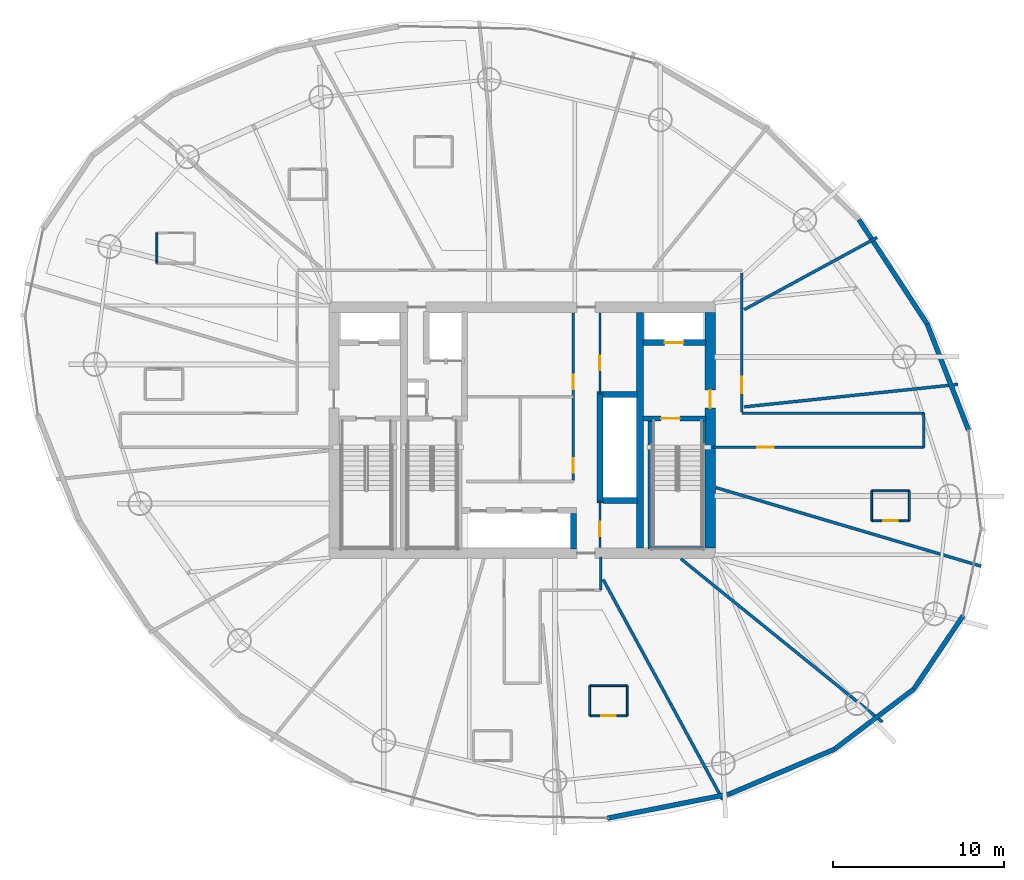
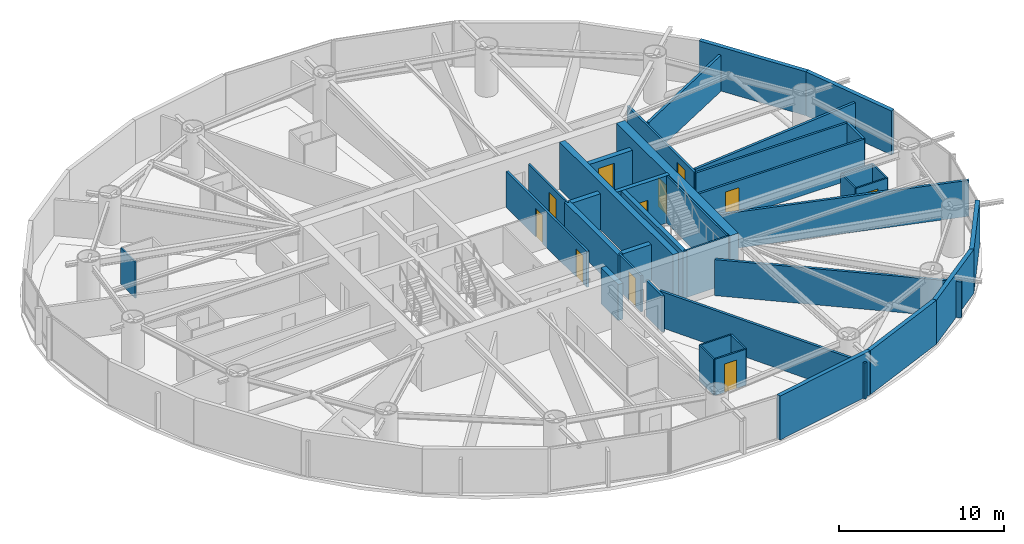
# One storey, part 21 of 26: 39 walls, 11 doors, 11 openings.
"""IFC4 building model written with IfcOpenShell, lengths in metres."""

import ifcopenshell
import ifcopenshell.guid

model = None  # the IFC model being written
_history = None  # IfcOwnerHistory: only IFC2X3 demands one
_inside = {}  # id of a spatial element -> (the spatial element, [elements in it])
_under = {}  # id of a project, library or spatial element -> (it, [spatial elements below it])
_declared = {}  # id of a project -> (the project, [libraries it declares])
_typed = {}  # id of a type object -> (the type object, [elements of that type])
_made_of = {}  # id of a material, layer set ... -> (it, [elements and type objects made of it])


def new_model(schema):
    """Start an empty IFC model of exactly this schema.

    Asked for "IFC4X3", IfcOpenShell would pick the latest addendum, in which some entities
    have other attributes; the version numbers below select the first issue.
    IFC2X3 requires an IfcOwnerHistory on every rooted entity: one is made here for all.
    """
    global model, _history
    if schema == "IFC4X3":
        model = ifcopenshell.file(schema_version=(4, 3, 0, 0))
    else:
        model = ifcopenshell.file(schema=schema)
    _inside.clear()
    _under.clear()
    _declared.clear()
    _typed.clear()
    _made_of.clear()
    _history = None
    if model.schema == "IFC2X3":
        org = make("IfcOrganization", Name="unknown")
        user = make(
            "IfcPersonAndOrganization",
            ThePerson=make("IfcPerson", FamilyName="unknown"),
            TheOrganization=org,
        )
        app = make(
            "IfcApplication",
            ApplicationDeveloper=org,
            Version="unknown",
            ApplicationFullName="unknown",
            ApplicationIdentifier="unknown",
        )
        _history = make(
            "IfcOwnerHistory",
            OwningUser=user,
            OwningApplication=app,
            ChangeAction="ADDED",
            CreationDate=0,
        )
    return model


def make(cls, **values):
    """One entity of the class cls with the attributes given. An attribute that is None is left unset."""
    return model.create_entity(
        cls, **{name: value for name, value in values.items() if value is not None}
    )


def rooted(cls, **values):
    """An entity with a GlobalId (a new one), such as an element, a storey or a relation."""
    return make(cls, GlobalId=ifcopenshell.guid.new(), OwnerHistory=_history, **values)


def si_unit(unit_type, name, prefix=None):
    """IfcSIUnit, for example si_unit("LENGTHUNIT", "METRE", prefix="MILLI")."""
    return make("IfcSIUnit", UnitType=unit_type, Prefix=prefix, Name=name)


def assignment(units):
    """IfcUnitAssignment: the units of a project."""
    return None if units is None else make("IfcUnitAssignment", Units=units)


def point(xyz):
    """IfcCartesianPoint."""
    return None if xyz is None else make("IfcCartesianPoint", Coordinates=xyz)


def direction(xyz):
    """IfcDirection."""
    return None if xyz is None else make("IfcDirection", DirectionRatios=xyz)


def frame(location, z_axis=None, x_axis=None):
    """IfcAxis2Placement3D, a coordinate frame: its origin and axes. An axis left out is left unset."""
    return make(
        "IfcAxis2Placement3D",
        Location=point(location),
        Axis=direction(z_axis),
        RefDirection=direction(x_axis),
    )


def frame_2d(location, x_axis=None):
    """IfcAxis2Placement2D, a coordinate frame in the plane: its origin and x axis."""
    return make(
        "IfcAxis2Placement2D", Location=point(location), RefDirection=direction(x_axis)
    )


def origin():
    """The frame at (0, 0, 0) with its axes left unset."""
    return frame((0.0, 0.0, 0.0))


def place(relative_to, where):
    """IfcLocalPlacement: puts the frame where relative to a parent placement (None: the world)."""
    return make(
        "IfcLocalPlacement", PlacementRelTo=relative_to, RelativePlacement=where
    )


def context(
    kind, dimensions, precision=None, world=None, true_north=None, identifier=None
):
    """IfcGeometricRepresentationContext, for example the 3D "Model" context."""
    return make(
        "IfcGeometricRepresentationContext",
        ContextIdentifier=identifier,
        ContextType=kind,
        CoordinateSpaceDimension=dimensions,
        Precision=precision,
        WorldCoordinateSystem=world,
        TrueNorth=true_north,
    )


def subcontext(parent, identifier, kind, view, scale=None):
    """IfcGeometricRepresentationSubContext, for example "Body" below "Model"."""
    return make(
        "IfcGeometricRepresentationSubContext",
        ContextIdentifier=identifier,
        ContextType=kind,
        ParentContext=parent,
        TargetScale=scale,
        TargetView=view,
    )


def project(units=None, contexts=None):
    """IfcProject with its units and contexts."""
    return rooted(
        "IfcProject",
        Name="project",
        RepresentationContexts=contexts,
        UnitsInContext=assignment(units),
    )


def spatial(cls, under=None, at=None, **own):
    """A site, building, storey or space (cls), placed at a placement, below another one or the project."""
    s = rooted(cls, ObjectPlacement=at, **own)
    if under is not None:
        _under.setdefault(under.id(), (under, []))[1].append(s)
    return s


def profile(cls, at=None, kind="AREA", **sizes):
    """A parametric profile (cls). Its sizes go by their IFC names, for example OverallWidth=200.0."""
    return make(cls, ProfileType=kind, Position=at, **sizes)


def rectangle(**sizes):
    """IfcRectangleProfileDef."""
    return profile("IfcRectangleProfileDef", **sizes)


def extrude(swept, where, along, depth):
    """IfcExtrudedAreaSolid: the profile swept, set in the frame where, extruded along a direction by depth."""
    return make(
        "IfcExtrudedAreaSolid",
        SweptArea=swept,
        Position=where,
        ExtrudedDirection=direction(along),
        Depth=depth,
    )


def shape(context_of_items, identifier, shape_type, items):
    """IfcShapeRepresentation: the items that make up one representation, for example the "Body"."""
    return make(
        "IfcShapeRepresentation",
        ContextOfItems=context_of_items,
        RepresentationIdentifier=identifier,
        RepresentationType=shape_type,
        Items=items,
    )


def material(Name=None, Category=None):
    """IfcMaterial."""
    return make("IfcMaterial", Name=Name, Category=Category)


def layer(
    of_material, thickness, ventilated=None, Name=None, Category=None, Priority=None
):
    """IfcMaterialLayer: one layer of a wall or slab, of a material (None: an air gap)."""
    return make(
        "IfcMaterialLayer",
        Material=of_material,
        LayerThickness=thickness,
        IsVentilated=ventilated,
        Name=Name,
        Category=Category,
        Priority=Priority,
    )


def layer_set(layers, Name=None):
    """IfcMaterialLayerSet."""
    return make("IfcMaterialLayerSet", MaterialLayers=layers, LayerSetName=Name)


def made_of(thing, what):
    """Note that an element or type object is made of a material, layer set ...; save() writes the relation."""
    if what is not None:
        _made_of.setdefault(what.id(), (what, []))[1].append(thing)
    return thing


def type_object(cls, material=None, **own):
    """A type object (cls), such as IfcWallType, which elements share."""
    return made_of(rooted(cls, **own), material)


def element(
    cls,
    number,
    at=None,
    inside=None,
    cuts=None,
    type_object=None,
    material=None,
    context=None,
    identifier="Body",
    shape_type=None,
    held_by="IfcProductDefinitionShape",
    body=None,
    shapes=None,
    **own,
):
    """One element of the class cls, such as IfcWall. Its Tag is "e" and its number.

    at: its placement. inside: the storey or other place that contains it. cuts: it is an
    opening in that element (IfcRelVoidsElement). A single representation is given by context,
    identifier, shape_type and body (its items); several are given by shapes. held_by: the class
    of the entity that holds the representations. save() writes the other relations.
    """
    e = rooted(cls, Tag="e%d" % number, ObjectPlacement=at, **own)
    if body is not None:
        shapes = [shape(context, identifier, shape_type, body)]
    if shapes is not None:
        e.Representation = make(held_by, Representations=shapes)
    if inside is not None:
        _inside.setdefault(inside.id(), (inside, []))[1].append(e)
    if cuts is not None:
        rooted(
            "IfcRelVoidsElement", RelatingBuildingElement=cuts, RelatedOpeningElement=e
        )
    if type_object is not None:
        _typed.setdefault(type_object.id(), (type_object, []))[1].append(e)
    return made_of(e, material)


def fill(opening, filler):
    """IfcRelFillsElement: the door or window that sits in an opening."""
    return rooted(
        "IfcRelFillsElement",
        RelatingOpeningElement=opening,
        RelatedBuildingElement=filler,
    )


def aggregate(whole, parts):
    """IfcRelAggregates: a whole, such as a stair, and the parts it consists of."""
    return rooted("IfcRelAggregates", RelatingObject=whole, RelatedObjects=parts)


def save(model, path):
    """Write the relations noted so far, then the file.

    IfcRelAggregates (storeys below a building ...), IfcRelContainedInSpatialStructure (elements
    in a storey), IfcRelDefinesByType, IfcRelAssociatesMaterial and IfcRelDeclares: one each for
    every whole, place, type object, material and project.
    """
    for whole, parts in _under.values():
        aggregate(whole, parts)
    for where, things in _inside.values():
        rooted(
            "IfcRelContainedInSpatialStructure",
            RelatedElements=things,
            RelatingStructure=where,
        )
    for kind, things in _typed.values():
        rooted("IfcRelDefinesByType", RelatedObjects=things, RelatingType=kind)
    for what, things in _made_of.values():
        rooted("IfcRelAssociatesMaterial", RelatedObjects=things, RelatingMaterial=what)
    for by, libraries in _declared.values():
        rooted("IfcRelDeclares", RelatingContext=by, RelatedDefinitions=libraries)
    model.write(path)


model = new_model("IFC4")

# Units and contexts
model_context = context("Model", 3, precision=1e-05, world=origin(), true_north=direction((0.0, 1.0)))
body_context = subcontext(model_context, "Body", "Model", "MODEL_VIEW")
ifc_project = project(units=[si_unit("LENGTHUNIT", "METRE"), si_unit("AREAUNIT", "SQUARE_METRE"), si_unit("VOLUMEUNIT", "CUBIC_METRE"), si_unit("PLANEANGLEUNIT", "RADIAN"), si_unit("MASSUNIT", "GRAM", prefix="KILO")], contexts=[model_context])

# Site, building, storey
site_placement = place(None, origin())
site = spatial("IfcSite", under=ifc_project, at=site_placement, CompositionType="ELEMENT")
building_placement = place(site_placement, origin())
building = spatial("IfcBuilding", under=site, at=building_placement, Name="Bramvorn Convention Spire", CompositionType="ELEMENT")
storey_placement = place(building_placement, frame((0.0, 0.0, 123.800048828125)))
storey = spatial("IfcBuildingStorey", under=building, at=storey_placement, Name="L30", CompositionType="ELEMENT", Elevation=123.800048828125)

# Wall, opening, door
ifc_material_1 = material(Name="Concrete C60/70", Category="concrete")
ifc_layer_1 = layer(ifc_material_1, 0.60009765625)
ifc_layer_set_1 = layer_set([ifc_layer_1], Name="Concrete C60/70 - WL-CORE-600")
wall_type_1 = type_object("IfcWallType", Name="WL-CORE-600", PredefinedType="SHEAR", material=ifc_layer_set_1)
wall_1_placement = place(storey_placement, frame((49.0, 19.10009765625, 0.0), z_axis=(0.0, 0.0, 1.0), x_axis=(0.0, 1.0, 0.0)))
wall_1 = element("IfcWall", 1, at=wall_1_placement, inside=storey, type_object=wall_type_1, Name="L30 East RC core shear wall", PredefinedType="SHEAR", context=body_context, shape_type="SweptSolid", body=[
    extrude(rectangle(XDim=13.7998046875, YDim=0.60009765625, at=frame_2d((6.89990234375, 0.0))), origin(), (0.0, 0.0, 1.0), 3.5),
])
opening_1_placement = place(wall_1_placement, frame((8.199951171875, 0.0, 0.0)))
opening_1 = element("IfcOpeningElement", 2, at=opening_1_placement, cuts=wall_1, Name="Opening DL-105", PredefinedType="OPENING", context=body_context, shape_type="SweptSolid", body=[
    extrude(rectangle(XDim=1.050048828125, YDim=2.14990234375, at=frame_2d((0.52490234375, 1.074951171875))), frame((0.0, 0.31005859375, 0.0), z_axis=(0.0, -1.0, 0.0), x_axis=(1.0, 0.0, 0.0)), (0.0, 0.0, 1.0), 0.6201171875),
])
ifc_material_2 = material(Name="Smoke-Sealed Fire Lobby Timber-Core Door", Category="wood")
door_type_1 = type_object("IfcDoorType", Name="DR-LOBBY-1050", OperationType="NOTDEFINED", PredefinedType="DOOR", material=ifc_material_2)
door_1_placement = place(opening_1_placement, origin())
door_1 = element("IfcDoor", 3, at=door_1_placement, inside=storey, type_object=door_type_1, Name="L30 East Firefighting Lobby corridor door", OperationType="SINGLE_SWING_LEFT", OverallHeight=2.14990234375, OverallWidth=1.050048828125, PredefinedType="DOOR", context=body_context, shape_type="SweptSolid", body=[
    extrude(rectangle(XDim=1.050048828125, YDim=2.14990234375, at=frame_2d((0.52490234375, 1.074951171875))), frame((0.0, 0.02490234375, 0.0), z_axis=(0.0, -1.0, 0.0), x_axis=(1.0, 0.0, 0.0)), (0.0, 0.0, 1.0), 0.050048828125),
])
fill(opening_1, door_1)

ifc_material_3 = material(Name="Concrete C50/60", Category="concrete")
ifc_layer_2 = layer(ifc_material_3, 0.35009765625)
ifc_layer_set_2 = layer_set([ifc_layer_2], Name="Concrete C50/60 - WL-CORE-INT-350")
wall_type_2 = type_object("IfcWallType", Name="WL-CORE-INT-350", PredefinedType="SHEAR", material=ifc_layer_set_2)
wall_2_placement = place(storey_placement, frame((45.080078125, 31.1201171875, 0.0), z_axis=(0.0, 0.0, 1.0), x_axis=(1.0, 0.0, 0.0)))
wall_2 = element("IfcWall", 4, at=wall_2_placement, inside=storey, type_object=wall_type_2, Name="L30 FE2 shaft front wall", PredefinedType="SHEAR", context=body_context, shape_type="SweptSolid", body=[
    extrude(rectangle(XDim=3.669921875, YDim=0.35009765625, at=frame_2d((1.8349609375, 0.0))), origin(), (0.0, 0.0, 1.0), 2.675048828125),
])
opening_2_placement = place(wall_2_placement, frame((1.25, 0.0, 0.0)))
opening_2 = element("IfcOpeningElement", 5, at=opening_2_placement, cuts=wall_2, Name="Opening LD-110", PredefinedType="OPENING", context=body_context, shape_type="SweptSolid", body=[
    extrude(rectangle(XDim=1.10009765625, YDim=2.14990234375, at=frame_2d((0.550048828125, 1.074951171875))), frame((0.0, 0.18505859375, 0.0), z_axis=(0.0, -1.0, 0.0), x_axis=(1.0, 0.0, 0.0)), (0.0, 0.0, 1.0), 0.3701171875),
])
ifc_material_4 = material(Name="Firefighting & Service Lift Sliding Landing Door", Category="steel")
door_type_2 = type_object("IfcDoorType", Name="DR-LIFT-LD-1100", OperationType="NOTDEFINED", PredefinedType="DOOR", material=ifc_material_4)
door_2_placement = place(opening_2_placement, origin())
door_2 = element("IfcDoor", 6, at=door_2_placement, inside=storey, type_object=door_type_2, Name="L30 Lift FE2 Sliding Landing Door", OperationType="SLIDING_TO_LEFT", OverallHeight=2.14990234375, OverallWidth=1.10009765625, PredefinedType="DOOR", context=body_context, shape_type="SweptSolid", body=[
    extrude(rectangle(XDim=1.10009765625, YDim=2.14990234375, at=frame_2d((0.550048828125, 1.074951171875))), frame((0.0, 0.02490234375, 0.0), z_axis=(0.0, -1.0, 0.0), x_axis=(1.0, 0.0, 0.0)), (0.0, 0.0, 1.0), 0.050048828125),
])
fill(opening_2, door_2)

# Walls
wall_3_placement = place(storey_placement, frame((42.550048828125, 21.72998046875, 0.0), z_axis=(0.0, 0.0, 1.0), x_axis=(0.0, 1.0, 0.0)))
element("IfcWall", 7, at=wall_3_placement, inside=storey, type_object=wall_type_2, Name="L30 High-rise lift bank west wall", PredefinedType="SHEAR", context=body_context, shape_type="SweptSolid", body=[
    extrude(rectangle(XDim=6.5400390625, YDim=0.35009765625, at=frame_2d((3.27001953125, 0.0))), origin(), (0.0, 0.0, 1.0), 2.675048828125),
])
for number, where, z_axis, x_axis, name in (
    (8, (42.719970703125, 21.89990234375, 0.0), (0.0, 0.0, 1.0), (1.0, 0.0, 0.0), "L30 High-rise lift bank south wall"),
    (9, (42.719970703125, 28.10009765625, 0.0), (0.0, 0.0, 1.0), (1.0, 0.0, 0.0), "L30 High-rise lift bank north wall"),
):
    element("IfcWall", number, at=place(storey_placement, frame(where, z_axis=z_axis, x_axis=x_axis)), inside=storey, type_object=wall_type_2, Name=name, PredefinedType="SHEAR", context=body_context, shape_type="SweptSolid", body=[
        extrude(rectangle(XDim=2.030029296875, YDim=0.35009765625, at=frame_2d((1.01513671875, 0.0))), origin(), (0.0, 0.0, 1.0), 2.675048828125),
    ])
wall_4_placement = place(storey_placement, frame((41.0, 19.050048828125, 0.0), z_axis=(0.0, 0.0, 1.0), x_axis=(0.0, 1.0, 0.0)))
element("IfcWall", 10, at=wall_4_placement, inside=storey, type_object=wall_type_2, Name="L30 Mid-rise bank east cheek wall", PredefinedType="SHEAR", context=body_context, shape_type="SweptSolid", body=[
    extrude(rectangle(XDim=2.079833984375, YDim=0.35009765625, at=frame_2d((1.0400390625, 0.0))), origin(), (0.0, 0.0, 1.0), 2.675048828125),
])
ifc_layer_3 = layer(ifc_material_1, 0.39990234375)
ifc_layer_set_3 = layer_set([ifc_layer_3], Name="Concrete C60/70 - WL-CORE-INT-400")
wall_type_3 = type_object("IfcWallType", Name="WL-CORE-INT-400", PredefinedType="SHEAR", material=ifc_layer_set_3)
wall_5_placement = place(storey_placement, frame((44.89990234375, 19.10009765625, 0.0), z_axis=(0.0, 0.0, 1.0), x_axis=(0.0, 1.0, 0.0)))
element("IfcWall", 11, at=wall_5_placement, inside=storey, type_object=wall_type_3, Name="L30 East internal core shear web", PredefinedType="SHEAR", context=body_context, shape_type="SweptSolid", body=[
    extrude(rectangle(XDim=13.7998046875, YDim=0.39990234375, at=frame_2d((6.89990234375, 0.0))), origin(), (0.0, 0.0, 1.0), 3.5),
])
ifc_material_5 = material(Name="Precast Concrete C40/50 with Bronze Terracotta Rainscreen", Category="masonry")
ifc_layer_4 = layer(ifc_material_5, 0.300048828125)
ifc_layer_set_4 = layer_set([ifc_layer_4], Name="Precast Concrete C40/50 with Bronze Terracotta Rainscreen - WL-EXT-BRONZE-300")
wall_type_4 = type_object("IfcWallType", Name="WL-EXT-BRONZE-300", PredefinedType="SOLIDWALL", material=ifc_layer_set_4)
wall_6_placement = place(storey_placement, frame((61.691162109375, 32.21044921875, 0.0), z_axis=(0.0, 0.0, 1.0), x_axis=(0.363033043801, -0.931776265585, 0.0)))
element("IfcWall", 12, at=wall_6_placement, inside=storey, type_object=wall_type_4, Name="L30 expressed bronze Gothic lancet pier wall 03", PredefinedType="SOLIDWALL", context=body_context, shape_type="SweptSolid", body=[
    extrude(rectangle(XDim=6.665283203125, YDim=0.280029296875, at=frame_2d((3.33251953125, 0.0))), origin(), (0.0, 0.0, 1.0), 3.260009765625),
])
for number, where, z_axis, x_axis, name in (
    (13, (57.701171875, 38.313720703125, 0.0), (0.0, 0.0, 1.0), (0.547190725369, -0.837007951019, 0.0), "L30 expressed bronze Gothic lancet pier wall 04"),
    (14, (50.138671875, 4.72802734375, 0.0), (0.0, 0.0, 1.0), (-0.980870626481, -0.194660766738, 0.0), "L30 expressed bronze Gothic lancet pier wall 21"),
):
    element("IfcWall", number, at=place(storey_placement, frame(where, z_axis=z_axis, x_axis=x_axis)), inside=storey, type_object=wall_type_4, Name=name, PredefinedType="SOLIDWALL", context=body_context, shape_type="SweptSolid", body=[
        extrude(rectangle(XDim=7.291748046875, YDim=0.280029296875, at=frame_2d((3.64599609375, 0.0))), origin(), (0.0, 0.0, 1.0), 3.260009765625),
    ])
wall_7_placement = place(storey_placement, frame((56.268798828125, 7.344482421875, 0.0), z_axis=(0.0, 0.0, 1.0), x_axis=(-0.919727565701, -0.392557263197, 0.0)))
element("IfcWall", 15, at=wall_7_placement, inside=storey, type_object=wall_type_4, Name="L30 expressed bronze Gothic lancet pier wall 22", PredefinedType="SOLIDWALL", context=body_context, shape_type="SweptSolid", body=[
    extrude(rectangle(XDim=6.6650390625, YDim=0.280029296875, at=frame_2d((3.33251953125, 0.0))), origin(), (0.0, 0.0, 1.0), 3.260009765625),
])
wall_8_placement = place(storey_placement, frame((60.909423828125, 10.861572265625, 0.0), z_axis=(0.0, 0.0, 1.0), x_axis=(-0.796971044297, -0.604017511792, 0.0)))
element("IfcWall", 16, at=wall_8_placement, inside=storey, type_object=wall_type_4, Name="L30 expressed bronze Gothic lancet pier wall 23", PredefinedType="SOLIDWALL", context=body_context, shape_type="SweptSolid", body=[
    extrude(rectangle(XDim=5.82275390625, YDim=0.280029296875, at=frame_2d((2.911376953125, 0.0))), origin(), (0.0, 0.0, 1.0), 3.260009765625),
])
wall_9_placement = place(storey_placement, frame((63.793701171875, 15.1572265625, 0.0), z_axis=(0.0, 0.0, 1.0), x_axis=(-0.557441157063, -0.830216451543, 0.0)))
element("IfcWall", 17, at=wall_9_placement, inside=storey, type_object=wall_type_4, Name="L30 expressed bronze Gothic lancet pier wall 24", PredefinedType="SOLIDWALL", context=body_context, shape_type="SweptSolid", body=[
    extrude(rectangle(XDim=5.174072265625, YDim=0.280029296875, at=frame_2d((2.5869140625, 0.0))), origin(), (0.0, 0.0, 1.0), 3.260009765625),
])
ifc_material_6 = material(Name="Lightweight En-Suite & Wet-Wall Partition", Category="gypsum")
ifc_layer_5 = layer(ifc_material_6, 0.110107421875)
ifc_layer_set_5 = layer_set([ifc_layer_5], Name="Lightweight En-Suite & Wet-Wall Partition - WL-PART-110")
wall_type_5 = type_object("IfcWallType", Name="WL-PART-110", PredefinedType="PARTITIONING", material=ifc_layer_set_5)
wall_10_placement = place(storey_placement, frame((16.639892578125, 35.77685546875, 0.0), z_axis=(0.0, 0.0, 1.0), x_axis=(0.0, 1.0, 0.0)))
element("IfcWall", 18, at=wall_10_placement, inside=storey, type_object=wall_type_5, Name="Hotel Suite 3007 en-suite west wall", PredefinedType="PARTITIONING", context=body_context, shape_type="SweptSolid", body=[
    extrude(rectangle(XDim=1.760009765625, YDim=0.110107421875, at=frame_2d((0.8798828125, 0.0))), origin(), (0.0, 0.0, 1.0), 2.675048828125),
])

# Wall, opening, door
wall_11_placement = place(storey_placement, frame((41.948486328125, 9.294189453125, 0.0), z_axis=(0.0, 0.0, 1.0), x_axis=(1.0, 0.0, 0.0)))
wall_11 = element("IfcWall", 19, at=wall_11_placement, inside=storey, type_object=wall_type_5, Name="Hotel Suite 3013 en-suite south wall", PredefinedType="PARTITIONING", context=body_context, shape_type="SweptSolid", body=[
    extrude(rectangle(XDim=2.2001953125, YDim=0.110107421875, at=frame_2d((1.10009765625, 0.0))), origin(), (0.0, 0.0, 1.0), 2.675048828125),
])
opening_3_placement = place(wall_11_placement, frame((0.679931640625, 0.0, 0.0)))
opening_3 = element("IfcOpeningElement", 20, at=opening_3_placement, cuts=wall_11, Name="Opening DI-085", PredefinedType="OPENING", context=body_context, shape_type="SweptSolid", body=[
    extrude(rectangle(XDim=0.85009765625, YDim=2.10009765625, at=frame_2d((0.425048828125, 1.050048828125))), frame((0.0, 0.06494140625, 0.0), z_axis=(0.0, -1.0, 0.0), x_axis=(1.0, 0.0, 0.0)), (0.0, 0.0, 1.0), 0.130126953125),
])
ifc_material_7 = material(Name="En-Suite & Restroom Privacy Door", Category="wood")
door_type_3 = type_object("IfcDoorType", Name="DR-INT-850", OperationType="NOTDEFINED", PredefinedType="DOOR", material=ifc_material_7)
door_3_placement = place(opening_3_placement, origin())
door_3 = element("IfcDoor", 21, at=door_3_placement, inside=storey, type_object=door_type_3, Name="Hotel Suite 3013 En-Suite Bathroom door", OperationType="SINGLE_SWING_LEFT", OverallHeight=2.10009765625, OverallWidth=0.85009765625, PredefinedType="DOOR", context=body_context, shape_type="SweptSolid", body=[
    extrude(rectangle(XDim=0.85009765625, YDim=2.10009765625, at=frame_2d((0.425048828125, 1.050048828125))), frame((0.0, 0.02490234375, 0.0), z_axis=(0.0, -1.0, 0.0), x_axis=(1.0, 0.0, 0.0)), (0.0, 0.0, 1.0), 0.050048828125),
])
fill(opening_3, door_3)

# Walls
wall_12_placement = place(storey_placement, frame((41.948486328125, 11.05419921875, 0.0), z_axis=(0.0, 0.0, 1.0), x_axis=(1.0, 0.0, 0.0)))
element("IfcWall", 22, at=wall_12_placement, inside=storey, type_object=wall_type_5, Name="Hotel Suite 3013 en-suite north wall", PredefinedType="PARTITIONING", context=body_context, shape_type="SweptSolid", body=[
    extrude(rectangle(XDim=2.2001953125, YDim=0.110107421875, at=frame_2d((1.10009765625, 0.0))), origin(), (0.0, 0.0, 1.0), 2.675048828125),
])
for number, where, z_axis, x_axis, name in (
    (23, (41.948486328125, 9.294189453125, 0.0), (0.0, 0.0, 1.0), (0.0, 1.0, 0.0), "Hotel Suite 3013 en-suite west wall"),
    (24, (44.148681640625, 9.294189453125, 0.0), (0.0, 0.0, 1.0), (0.0, 1.0, 0.0), "Hotel Suite 3013 en-suite east wall"),
):
    element("IfcWall", number, at=place(storey_placement, frame(where, z_axis=z_axis, x_axis=x_axis)), inside=storey, type_object=wall_type_5, Name=name, PredefinedType="PARTITIONING", context=body_context, shape_type="SweptSolid", body=[
        extrude(rectangle(XDim=1.760009765625, YDim=0.110107421875, at=frame_2d((0.8798828125, 0.0))), origin(), (0.0, 0.0, 1.0), 2.675048828125),
    ])

# Wall, opening, door
wall_13_placement = place(storey_placement, frame((58.446533203125, 20.69580078125, 0.0), z_axis=(0.0, 0.0, 1.0), x_axis=(1.0, 0.0, 0.0)))
wall_13 = element("IfcWall", 25, at=wall_13_placement, inside=storey, type_object=wall_type_5, Name="Hotel Suite 3016 en-suite south wall", PredefinedType="PARTITIONING", context=body_context, shape_type="SweptSolid", body=[
    extrude(rectangle(XDim=2.199951171875, YDim=0.110107421875, at=frame_2d((1.10009765625, 0.0))), origin(), (0.0, 0.0, 1.0), 2.675048828125),
])
opening_4_placement = place(wall_13_placement, frame((0.679931640625, 0.0, 0.0)))
opening_4 = element("IfcOpeningElement", 26, at=opening_4_placement, cuts=wall_13, Name="Opening DI-085", PredefinedType="OPENING", context=body_context, shape_type="SweptSolid", body=[
    extrude(rectangle(XDim=0.85009765625, YDim=2.10009765625, at=frame_2d((0.425048828125, 1.050048828125))), frame((0.0, 0.06494140625, 0.0), z_axis=(0.0, -1.0, 0.0), x_axis=(1.0, 0.0, 0.0)), (0.0, 0.0, 1.0), 0.130126953125),
])
door_4_placement = place(opening_4_placement, origin())
door_4 = element("IfcDoor", 27, at=door_4_placement, inside=storey, type_object=door_type_3, Name="Hotel Suite 3016 En-Suite Bathroom door", OperationType="SINGLE_SWING_LEFT", OverallHeight=2.10009765625, OverallWidth=0.85009765625, PredefinedType="DOOR", context=body_context, shape_type="SweptSolid", body=[
    extrude(rectangle(XDim=0.85009765625, YDim=2.10009765625, at=frame_2d((0.425048828125, 1.050048828125))), frame((0.0, 0.02490234375, 0.0), z_axis=(0.0, -1.0, 0.0), x_axis=(1.0, 0.0, 0.0)), (0.0, 0.0, 1.0), 0.050048828125),
])
fill(opening_4, door_4)

# Walls
wall_14_placement = place(storey_placement, frame((58.446533203125, 22.455810546875, 0.0), z_axis=(0.0, 0.0, 1.0), x_axis=(1.0, 0.0, 0.0)))
element("IfcWall", 28, at=wall_14_placement, inside=storey, type_object=wall_type_5, Name="Hotel Suite 3016 en-suite north wall", PredefinedType="PARTITIONING", context=body_context, shape_type="SweptSolid", body=[
    extrude(rectangle(XDim=2.199951171875, YDim=0.110107421875, at=frame_2d((1.10009765625, 0.0))), origin(), (0.0, 0.0, 1.0), 2.675048828125),
])
for number, where, z_axis, x_axis, name in (
    (29, (58.446533203125, 20.69580078125, 0.0), (0.0, 0.0, 1.0), (0.0, 1.0, 0.0), "Hotel Suite 3016 en-suite west wall"),
    (30, (60.646484375, 20.69580078125, 0.0), (0.0, 0.0, 1.0), (0.0, 1.0, 0.0), "Hotel Suite 3016 en-suite east wall"),
):
    element("IfcWall", number, at=place(storey_placement, frame(where, z_axis=z_axis, x_axis=x_axis)), inside=storey, type_object=wall_type_5, Name=name, PredefinedType="PARTITIONING", context=body_context, shape_type="SweptSolid", body=[
        extrude(rectangle(XDim=1.760009765625, YDim=0.110107421875, at=frame_2d((0.8798828125, 0.0))), origin(), (0.0, 0.0, 1.0), 2.675048828125),
    ])

# Wall, opening, door
ifc_material_8 = material(Name="Metal-Stud Demountable Office Partition", Category="gypsum")
ifc_layer_6 = layer(ifc_material_8, 0.1298828125)
ifc_layer_set_6 = layer_set([ifc_layer_6], Name="Metal-Stud Demountable Office Partition - WL-PART-130")
wall_type_6 = type_object("IfcWallType", Name="WL-PART-130", PredefinedType="PARTITIONING", material=ifc_layer_set_6)
wall_15_placement = place(storey_placement, frame((42.550048828125, 28.10009765625, 0.0), z_axis=(0.0, 0.0, 1.0), x_axis=(0.0, 1.0, 0.0)))
wall_15 = element("IfcWall", 31, at=wall_15_placement, inside=storey, type_object=wall_type_6, Name="L30 KA NE IDF wall", PredefinedType="PARTITIONING", context=body_context, shape_type="SweptSolid", body=[
    extrude(rectangle(XDim=4.75, YDim=0.1298828125, at=frame_2d((2.375, 0.0))), origin(), (0.0, 0.0, 1.0), 2.675048828125),
])
opening_5_placement = place(wall_15_placement, frame((1.39990234375, 0.0, 0.0)))
opening_5 = element("IfcOpeningElement", 32, at=opening_5_placement, cuts=wall_15, Name="Opening DC-085", PredefinedType="OPENING", context=body_context, shape_type="SweptSolid", body=[
    extrude(rectangle(XDim=0.85009765625, YDim=2.10009765625, at=frame_2d((0.425048828125, 1.050048828125))), frame((0.0, 0.074951171875, 0.0), z_axis=(0.0, -1.0, 0.0), x_axis=(1.0, 0.0, 0.0)), (0.0, 0.0, 1.0), 0.14990234375),
])
ifc_material_9 = material(Name="Fire-Rated Core Washroom & IDF Door", Category="wood")
door_type_4 = type_object("IfcDoorType", Name="DR-CORE-850", OperationType="NOTDEFINED", PredefinedType="DOOR", material=ifc_material_9)
door_5_placement = place(opening_5_placement, origin())
door_5 = element("IfcDoor", 33, at=door_5_placement, inside=storey, type_object=door_type_4, Name="L30 Core IDF & BMS Room door", OperationType="SINGLE_SWING_LEFT", OverallHeight=2.10009765625, OverallWidth=0.85009765625, PredefinedType="DOOR", context=body_context, shape_type="SweptSolid", body=[
    extrude(rectangle(XDim=0.85009765625, YDim=2.10009765625, at=frame_2d((0.425048828125, 1.050048828125))), frame((0.0, 0.02490234375, 0.0), z_axis=(0.0, -1.0, 0.0), x_axis=(1.0, 0.0, 0.0)), (0.0, 0.0, 1.0), 0.050048828125),
])
fill(opening_5, door_5)

wall_16_placement = place(storey_placement, frame((42.550048828125, 19.14990234375, 0.0), z_axis=(0.0, 0.0, 1.0), x_axis=(0.0, 1.0, 0.0)))
wall_16 = element("IfcWall", 34, at=wall_16_placement, inside=storey, type_object=wall_type_6, Name="L30 KA SE store wall", PredefinedType="PARTITIONING", context=body_context, shape_type="SweptSolid", body=[
    extrude(rectangle(XDim=2.75, YDim=0.1298828125, at=frame_2d((1.375, 0.0))), origin(), (0.0, 0.0, 1.0), 2.675048828125),
])
opening_6_placement = place(wall_16_placement, frame((0.64990234375, 0.0, 0.0)))
opening_6 = element("IfcOpeningElement", 35, at=opening_6_placement, cuts=wall_16, Name="Opening DC-085", PredefinedType="OPENING", context=body_context, shape_type="SweptSolid", body=[
    extrude(rectangle(XDim=0.85009765625, YDim=2.10009765625, at=frame_2d((0.425048828125, 1.050048828125))), frame((0.0, 0.074951171875, 0.0), z_axis=(0.0, -1.0, 0.0), x_axis=(1.0, 0.0, 0.0)), (0.0, 0.0, 1.0), 0.14990234375),
])
door_6_placement = place(opening_6_placement, origin())
door_6 = element("IfcDoor", 36, at=door_6_placement, inside=storey, type_object=door_type_4, Name="L30 Floor Housekeeping & Linen Store door", OperationType="SINGLE_SWING_LEFT", OverallHeight=2.10009765625, OverallWidth=0.85009765625, PredefinedType="DOOR", context=body_context, shape_type="SweptSolid", body=[
    extrude(rectangle(XDim=0.85009765625, YDim=2.10009765625, at=frame_2d((0.425048828125, 1.050048828125))), frame((0.0, 0.02490234375, 0.0), z_axis=(0.0, -1.0, 0.0), x_axis=(1.0, 0.0, 0.0)), (0.0, 0.0, 1.0), 0.050048828125),
])
fill(opening_6, door_6)

# Wall, openings, doors
ifc_material_10 = material(Name="Acoustic Metal-Stud Tenant/Corridor Partition", Category="gypsum")
ifc_layer_7 = layer(ifc_material_10, 0.14990234375)
ifc_layer_set_7 = layer_set([ifc_layer_7], Name="Acoustic Metal-Stud Tenant/Corridor Partition - WL-PART-150")
wall_type_7 = type_object("IfcWallType", Name="WL-PART-150", PredefinedType="PARTITIONING", material=ifc_layer_set_7)
wall_17_placement = place(storey_placement, frame((41.0, 23.050048828125, 0.0), z_axis=(0.0, 0.0, 1.0), x_axis=(0.0, 1.0, 0.0)))
wall_17 = element("IfcWall", 37, at=wall_17_placement, inside=storey, type_object=wall_type_7, Name="L30 KA east core wall", PredefinedType="PARTITIONING", context=body_context, shape_type="SweptSolid", body=[
    extrude(rectangle(XDim=9.800048828125, YDim=0.14990234375, at=frame_2d((4.89990234375, 0.0))), origin(), (0.0, 0.0, 1.0), 2.675048828125),
])
opening_7_placement = place(wall_17_placement, frame((5.35009765625, 0.0, 0.0)))
opening_7 = element("IfcOpeningElement", 38, at=opening_7_placement, cuts=wall_17, Name="Opening DC-085", PredefinedType="OPENING", context=body_context, shape_type="SweptSolid", body=[
    extrude(rectangle(XDim=0.85009765625, YDim=2.10009765625, at=frame_2d((0.425048828125, 1.050048828125))), frame((0.0, 0.0849609375, 0.0), z_axis=(0.0, -1.0, 0.0), x_axis=(1.0, 0.0, 0.0)), (0.0, 0.0, 1.0), 0.169921875),
])
opening_8_placement = place(wall_17_placement, frame((0.449951171875, 0.0, 0.0)))
opening_8 = element("IfcOpeningElement", 39, at=opening_8_placement, cuts=wall_17, Name="Opening DC-085", PredefinedType="OPENING", context=body_context, shape_type="SweptSolid", body=[
    extrude(rectangle(XDim=0.85009765625, YDim=2.10009765625, at=frame_2d((0.425048828125, 1.050048828125))), frame((0.0, 0.0849609375, 0.0), z_axis=(0.0, -1.0, 0.0), x_axis=(1.0, 0.0, 0.0)), (0.0, 0.0, 1.0), 0.169921875),
])
door_7_placement = place(opening_7_placement, origin())
door_7 = element("IfcDoor", 40, at=door_7_placement, inside=storey, type_object=door_type_4, Name="L30 Core Linen & Equipment Store door", OperationType="SINGLE_SWING_LEFT", OverallHeight=2.10009765625, OverallWidth=0.85009765625, PredefinedType="DOOR", context=body_context, shape_type="SweptSolid", body=[
    extrude(rectangle(XDim=0.85009765625, YDim=2.10009765625, at=frame_2d((0.425048828125, 1.050048828125))), frame((0.0, 0.02490234375, 0.0), z_axis=(0.0, -1.0, 0.0), x_axis=(1.0, 0.0, 0.0)), (0.0, 0.0, 1.0), 0.050048828125),
])
fill(opening_7, door_7)
door_8_placement = place(opening_8_placement, origin())
door_8 = element("IfcDoor", 41, at=door_8_placement, inside=storey, type_object=door_type_4, Name="L30 Accessible Core Restroom door", OperationType="SINGLE_SWING_LEFT", OverallHeight=2.10009765625, OverallWidth=0.85009765625, PredefinedType="DOOR", context=body_context, shape_type="SweptSolid", body=[
    extrude(rectangle(XDim=0.85009765625, YDim=2.10009765625, at=frame_2d((0.425048828125, 1.050048828125))), frame((0.0, 0.02490234375, 0.0), z_axis=(0.0, -1.0, 0.0), x_axis=(1.0, 0.0, 0.0)), (0.0, 0.0, 1.0), 0.050048828125),
])
fill(opening_8, door_8)

# Wall, opening, door
wall_18_placement = place(storey_placement, frame((50.85009765625, 27.080078125, 0.0), z_axis=(0.0, 0.0, 1.0), x_axis=(0.0, 1.0, 0.0)))
wall_18 = element("IfcWall", 42, at=wall_18_placement, inside=storey, type_object=wall_type_7, Name="L30 NE gallery cheek", PredefinedType="PARTITIONING", context=body_context, shape_type="SweptSolid", body=[
    extrude(rectangle(XDim=8.119873046875, YDim=0.14990234375, at=frame_2d((4.06005859375, 0.0))), origin(), (0.0, 0.0, 1.0), 2.675048828125),
])
opening_9_placement = place(wall_18_placement, frame((1.09033203125, 0.0, 0.0)))
opening_9 = element("IfcOpeningElement", 43, at=opening_9_placement, cuts=wall_18, Name="Opening DH-095", PredefinedType="OPENING", context=body_context, shape_type="SweptSolid", body=[
    extrude(rectangle(XDim=0.949951171875, YDim=2.14990234375, at=frame_2d((0.47509765625, 1.074951171875))), frame((0.0, 0.0849609375, 0.0), z_axis=(0.0, -1.0, 0.0), x_axis=(1.0, 0.0, 0.0)), (0.0, 0.0, 1.0), 0.169921875),
])
ifc_material_11 = material(Name="Solid-Core Acoustic Guestroom Entry Door", Category="wood")
door_type_5 = type_object("IfcDoorType", Name="DR-HOTEL-950", OperationType="NOTDEFINED", PredefinedType="DOOR", material=ifc_material_11)
door_9_placement = place(opening_9_placement, origin())
door_9 = element("IfcDoor", 44, at=door_9_placement, inside=storey, type_object=door_type_5, Name="L30 Hospitality Lounge 1 door", OperationType="SINGLE_SWING_RIGHT", OverallHeight=2.14990234375, OverallWidth=0.949951171875, PredefinedType="DOOR", context=body_context, shape_type="SweptSolid", body=[
    extrude(rectangle(XDim=0.949951171875, YDim=2.14990234375, at=frame_2d((0.47509765625, 1.074951171875))), frame((0.0, 0.02490234375, 0.0), z_axis=(0.0, -1.0, 0.0), x_axis=(1.0, 0.0, 0.0)), (0.0, 0.0, 1.0), 0.050048828125),
])
fill(opening_9, door_9)

# Wall
wall_19_placement = place(storey_placement, frame((50.85009765625, 27.0, 0.0), z_axis=(0.0, 0.0, 1.0), x_axis=(1.0, 0.0, 0.0)))
element("IfcWall", 45, at=wall_19_placement, inside=storey, type_object=wall_type_7, Name="L30 East wing spine north wall", PredefinedType="PARTITIONING", context=body_context, shape_type="SweptSolid", body=[
    extrude(rectangle(XDim=10.64990234375, YDim=0.14990234375, at=frame_2d((5.324951171875, 0.0))), origin(), (0.0, 0.0, 1.0), 2.675048828125),
])

# Wall, opening, door
wall_20_placement = place(storey_placement, frame((49.14990234375, 25.0, 0.0), z_axis=(0.0, 0.0, 1.0), x_axis=(1.0, 0.0, 0.0)))
wall_20 = element("IfcWall", 46, at=wall_20_placement, inside=storey, type_object=wall_type_7, Name="L30 East wing spine south wall", PredefinedType="PARTITIONING", context=body_context, shape_type="SweptSolid", body=[
    extrude(rectangle(XDim=12.35009765625, YDim=0.14990234375, at=frame_2d((6.175048828125, 0.0))), origin(), (0.0, 0.0, 1.0), 2.675048828125),
])
opening_10_placement = place(wall_20_placement, frame((2.612548828125, 0.0, 0.0)))
opening_10 = element("IfcOpeningElement", 47, at=opening_10_placement, cuts=wall_20, Name="Opening DH-095", PredefinedType="OPENING", context=body_context, shape_type="SweptSolid", body=[
    extrude(rectangle(XDim=0.949951171875, YDim=2.14990234375, at=frame_2d((0.47509765625, 1.074951171875))), frame((0.0, 0.0849609375, 0.0), z_axis=(0.0, -1.0, 0.0), x_axis=(1.0, 0.0, 0.0)), (0.0, 0.0, 1.0), 0.169921875),
])
door_10_placement = place(opening_10_placement, origin())
door_10 = element("IfcDoor", 48, at=door_10_placement, inside=storey, type_object=door_type_5, Name="Hotel Suite 3016 entry door", OperationType="SINGLE_SWING_RIGHT", OverallHeight=2.14990234375, OverallWidth=0.949951171875, PredefinedType="DOOR", context=body_context, shape_type="SweptSolid", body=[
    extrude(rectangle(XDim=0.949951171875, YDim=2.14990234375, at=frame_2d((0.47509765625, 1.074951171875))), frame((0.0, 0.02490234375, 0.0), z_axis=(0.0, -1.0, 0.0), x_axis=(1.0, 0.0, 0.0)), (0.0, 0.0, 1.0), 0.050048828125),
])
fill(opening_10, door_10)

# Walls
wall_21_placement = place(storey_placement, frame((61.5, 25.0, 0.0), z_axis=(0.0, 0.0, 1.0), x_axis=(0.0, 1.0, 0.0)))
element("IfcWall", 49, at=wall_21_placement, inside=storey, type_object=wall_type_7, Name="L30 East wing spine end wall", PredefinedType="PARTITIONING", context=body_context, shape_type="SweptSolid", body=[
    extrude(rectangle(XDim=2.0, YDim=0.14990234375, at=frame_2d((1.0, 0.0))), origin(), (0.0, 0.0, 1.0), 2.675048828125),
])
wall_22_placement = place(storey_placement, frame((42.60009765625, 16.64990234375, 0.0), z_axis=(0.0, 0.0, 1.0), x_axis=(0.0, 1.0, 0.0)))
element("IfcWall", 50, at=wall_22_placement, inside=storey, type_object=wall_type_7, Name="L30 South lift lobby east cheek", PredefinedType="PARTITIONING", context=body_context, shape_type="SweptSolid", body=[
    extrude(rectangle(XDim=1.9501953125, YDim=0.14990234375, at=frame_2d((0.97509765625, 0.0))), origin(), (0.0, 0.0, 1.0), 2.675048828125),
])
ifc_material_12 = material(Name="Double-Stud Acoustic Hotel/Suite Partition", Category="gypsum")
ifc_layer_8 = layer(ifc_material_12, 0.175048828125)
ifc_layer_set_8 = layer_set([ifc_layer_8], Name="Double-Stud Acoustic Hotel/Suite Partition - WL-PART-175")
wall_type_8 = type_object("IfcWallType", Name="WL-PART-175", PredefinedType="PARTITIONING", material=ifc_layer_set_8)
wall_23_placement = place(storey_placement, frame((50.989990234375, 27.365234375, 0.0), z_axis=(0.0, 0.0, 1.0), x_axis=(0.994520762805, 0.104539238324, 0.0)))
element("IfcWall", 51, at=wall_23_placement, inside=storey, type_object=wall_type_8, Name="L30 Guestroom demising wall 1", PredefinedType="PARTITIONING", context=body_context, shape_type="SweptSolid", body=[
    extrude(rectangle(XDim=12.57373046875, YDim=0.175048828125, at=frame_2d((6.286865234375, 0.0))), origin(), (0.0, 0.0, 1.0), 2.675048828125),
])
wall_24_placement = place(storey_placement, frame((50.989990234375, 33.052978515625, 0.0), z_axis=(0.0, 0.0, 1.0), x_axis=(0.87881280015, 0.477166702833, 0.0)))
element("IfcWall", 52, at=wall_24_placement, inside=storey, type_object=wall_type_8, Name="L30 Guestroom demising wall 2", PredefinedType="PARTITIONING", context=body_context, shape_type="SweptSolid", body=[
    extrude(rectangle(XDim=8.8544921875, YDim=0.175048828125, at=frame_2d((4.42724609375, 0.0))), origin(), (0.0, 0.0, 1.0), 2.675048828125),
])
wall_25_placement = place(storey_placement, frame((42.739990234375, 17.27001953125, 0.0), z_axis=(0.0, 0.0, 1.0), x_axis=(0.477153165105, -0.87882015056, 0.0)))
element("IfcWall", 53, at=wall_25_placement, inside=storey, type_object=wall_type_8, Name="L30 Guestroom demising wall 14", PredefinedType="PARTITIONING", context=body_context, shape_type="SweptSolid", body=[
    extrude(rectangle(XDim=14.677001953125, YDim=0.175048828125, at=frame_2d((7.33837890625, 0.0))), origin(), (0.0, 0.0, 1.0), 2.675048828125),
])
wall_26_placement = place(storey_placement, frame((47.286376953125, 18.47998046875, 0.0), z_axis=(0.0, 0.0, 1.0), x_axis=(0.777152358987, -0.629312490676, 0.0)))
element("IfcWall", 54, at=wall_26_placement, inside=storey, type_object=wall_type_8, Name="L30 Guestroom demising wall 15", PredefinedType="PARTITIONING", context=body_context, shape_type="SweptSolid", body=[
    extrude(rectangle(XDim=15.18115234375, YDim=0.175048828125, at=frame_2d((7.590576171875, 0.0))), origin(), (0.0, 0.0, 1.0), 2.675048828125),
])
wall_27_placement = place(storey_placement, frame((49.320068359375, 22.64697265625, 0.0), z_axis=(0.0, 0.0, 1.0), x_axis=(0.958818034548, -0.284021084827, 0.0)))
element("IfcWall", 55, at=wall_27_placement, inside=storey, type_object=wall_type_8, Name="L30 Guestroom demising wall 16", PredefinedType="PARTITIONING", context=body_context, shape_type="SweptSolid", body=[
    extrude(rectangle(XDim=16.19384765625, YDim=0.175048828125, at=frame_2d((8.096923828125, 0.0))), origin(), (0.0, 0.0, 1.0), 2.675048828125),
])

# Wall, opening, door
ifc_layer_9 = layer(ifc_material_3, 0.300048828125)
ifc_layer_set_9 = layer_set([ifc_layer_9], Name="Concrete C50/60 - WL-POD-STAIR-300")
wall_type_9 = type_object("IfcWallType", Name="WL-POD-STAIR-300", PredefinedType="SHEAR", material=ifc_layer_set_9)
wall_28_placement = place(storey_placement, frame((45.080078125, 26.68994140625, 0.0), z_axis=(0.0, 0.0, 1.0), x_axis=(1.0, 0.0, 0.0)))
wall_28 = element("IfcWall", 56, at=wall_28_placement, inside=storey, type_object=wall_type_9, Name="L30 ST2 north fire wall", PredefinedType="SHEAR", context=body_context, shape_type="SweptSolid", body=[
    extrude(rectangle(XDim=3.669921875, YDim=0.300048828125, at=frame_2d((1.8349609375, 0.0))), origin(), (0.0, 0.0, 1.0), 3.5),
])
opening_11_placement = place(wall_28_placement, frame((1.050048828125, 0.0, 0.0)))
opening_11 = element("IfcOpeningElement", 57, at=opening_11_placement, cuts=wall_28, Name="Opening DS-110", PredefinedType="OPENING", context=body_context, shape_type="SweptSolid", body=[
    extrude(rectangle(XDim=1.10009765625, YDim=2.14990234375, at=frame_2d((0.550048828125, 1.074951171875))), frame((0.0, 0.159912109375, 0.0), z_axis=(0.0, -1.0, 0.0), x_axis=(1.0, 0.0, 0.0)), (0.0, 0.0, 1.0), 0.320068359375),
])
ifc_material_13 = material(Name="Fire-Rated Hollow Steel Stairwell Door", Category="steel")
door_type_6 = type_object("IfcDoorType", Name="DR-STAIR-1100", OperationType="NOTDEFINED", PredefinedType="DOOR", material=ifc_material_13)
door_11_placement = place(opening_11_placement, origin())
door_11 = element("IfcDoor", 58, at=door_11_placement, inside=storey, type_object=door_type_6, Name="L30 Stair ST2 fire door", OperationType="SINGLE_SWING_RIGHT", OverallHeight=2.14990234375, OverallWidth=1.10009765625, PredefinedType="DOOR", context=body_context, shape_type="SweptSolid", body=[
    extrude(rectangle(XDim=1.10009765625, YDim=2.14990234375, at=frame_2d((0.550048828125, 1.074951171875))), frame((0.0, 0.02490234375, 0.0), z_axis=(0.0, -1.0, 0.0), x_axis=(1.0, 0.0, 0.0)), (0.0, 0.0, 1.0), 0.050048828125),
])
fill(opening_11, door_11)

# Walls
wall_29_placement = place(storey_placement, frame((45.510009765625, 19.050048828125, 0.0), z_axis=(0.0, 0.0, 1.0), x_axis=(0.0, 1.0, 0.0)))
element("IfcWall", 59, at=wall_29_placement, inside=storey, type_object=wall_type_9, Name="L30 ST2 west bearing wall", PredefinedType="SHEAR", context=body_context, shape_type="SweptSolid", body=[
    extrude(rectangle(XDim=7.5, YDim=0.300048828125, at=frame_2d((3.75, 0.0))), origin(), (0.0, 0.0, 1.0), 3.5),
])
ifc_layer_10 = layer(ifc_material_3, 0.1201171875)
ifc_layer_set_10 = layer_set([ifc_layer_10], Name="Concrete C50/60 - WL-STAIR-RC-120")
wall_type_10 = type_object("IfcWallType", Name="WL-STAIR-RC-120", PredefinedType="SHEAR", material=ifc_layer_set_10)
wall_30_placement = place(storey_placement, frame((48.60498046875, 19.10009765625, 0.0), z_axis=(0.0, 0.0, 1.0), x_axis=(0.0, 1.0, 0.0)))
element("IfcWall", 60, at=wall_30_placement, inside=storey, type_object=wall_type_10, Name="L30 ST2 east bearing shear wall", PredefinedType="SHEAR", context=body_context, shape_type="SweptSolid", body=[
    extrude(rectangle(XDim=7.449951171875, YDim=0.1201171875, at=frame_2d((3.72509765625, 0.0))), origin(), (0.0, 0.0, 1.0), 3.5),
])
wall_31_placement = place(storey_placement, frame((45.510009765625, 19.159912109375, 0.0), z_axis=(0.0, 0.0, 1.0), x_axis=(1.0, 0.0, 0.0)))
element("IfcWall", 61, at=wall_31_placement, inside=storey, type_object=wall_type_10, Name="L30 ST2 south bearing shear wall", PredefinedType="SHEAR", context=body_context, shape_type="SweptSolid", body=[
    extrude(rectangle(XDim=3.094970703125, YDim=0.1201171875, at=frame_2d((1.54736328125, 0.0))), origin(), (0.0, 0.0, 1.0), 3.5),
])

save(model, "model.ifc")
